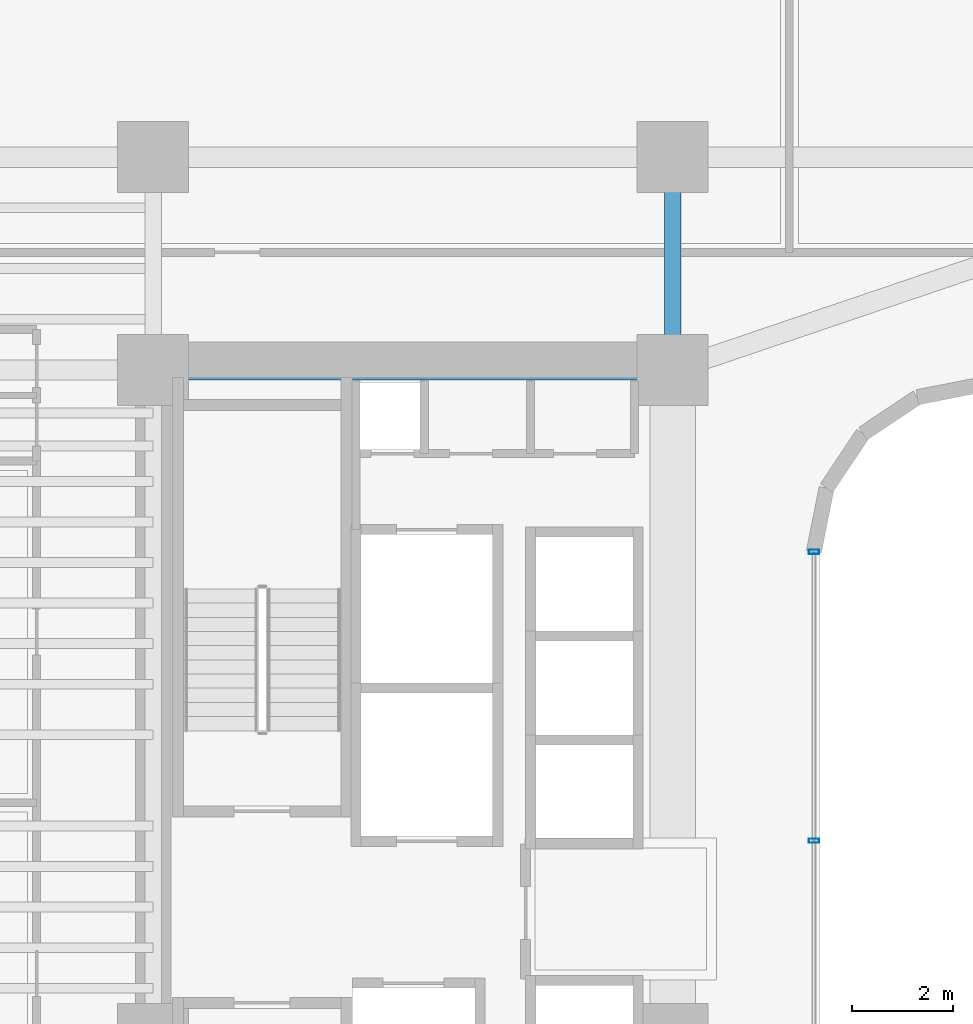
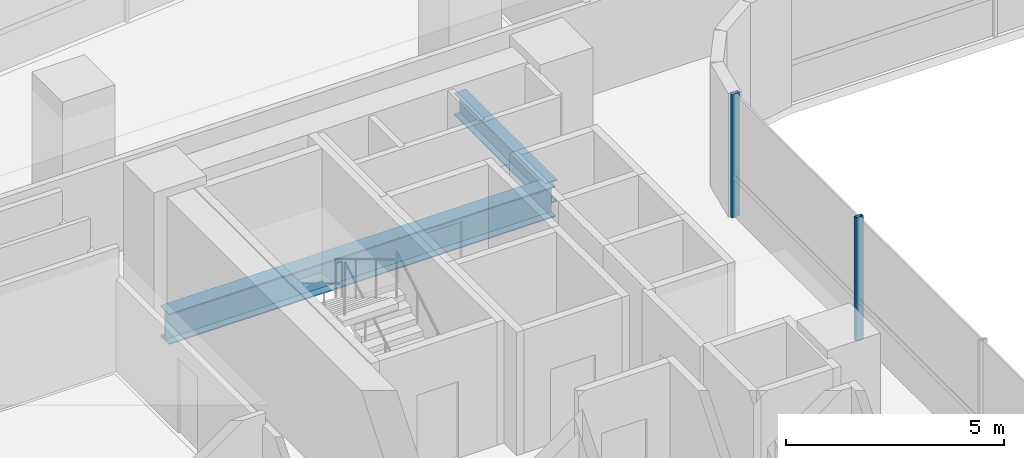
# One storey, part 10 of 39: 2 beams, 2 members, 1 element without a shape of its own.
"""IFC4 building model written with IfcOpenShell, lengths in metres."""

from ifc_helpers import new_model, si_unit, direction, frame, origin, origin_2d, place, context, subcontext, project, spatial, hollow_rectangle, i_section, extrude, source, transform, mapped, material, material_profile, profile_set, type_object, element, aggregate, save


model = new_model("IFC4")

# Units and contexts
model_context = context("Model", 3, precision=1e-05, world=origin(), true_north=direction((0.0, 1.0)))
body_context = subcontext(model_context, "Body", "Model", "MODEL_VIEW")
ifc_project = project(units=[si_unit("LENGTHUNIT", "METRE"), si_unit("AREAUNIT", "SQUARE_METRE"), si_unit("VOLUMEUNIT", "CUBIC_METRE"), si_unit("PLANEANGLEUNIT", "RADIAN"), si_unit("MASSUNIT", "GRAM", prefix="KILO")], contexts=[model_context])

# Site, building, storey
site_placement = place(None, origin())
site = spatial("IfcSite", under=ifc_project, at=site_placement, CompositionType="ELEMENT")
building_placement = place(site_placement, origin())
building = spatial("IfcBuilding", under=site, at=building_placement, Name="Valdorenza Pilgrim Sanctuary Tower", CompositionType="ELEMENT")
storey_placement = place(building_placement, frame((0.0, 0.0, 70.39990234375)))
storey = spatial("IfcBuildingStorey", under=building, at=storey_placement, Name="L17", CompositionType="ELEMENT", Elevation=70.39990234375)

# Beams
ifc_material_1 = material(Name="Steel ASTM A992 Grade 50", Category="steel")
ifc_material_profile_1 = material_profile(ifc_material_1, i_section(OverallWidth=0.323974609375, OverallDepth=0.611083984375, WebThickness=0.0126953125, FlangeThickness=0.01904296875, at=origin_2d()), Name="W24X104")
ifc_profile_set_1 = profile_set([ifc_material_profile_1], Name="Steel ASTM A992 Grade 50")
beam_type_1 = type_object("IfcBeamType", Name="STR-BM-GRD-W24B", PredefinedType="BEAM", material=ifc_profile_set_1)
shared_shape_1 = source(origin(), body_context, "Body", "SweptSolid", [
    extrude(i_section(OverallWidth=0.323974609375, OverallDepth=0.611083984375, WebThickness=0.0126953125, FlangeThickness=0.01904296875, at=origin_2d()), origin(), (0.0, 0.0, 1.0), 4.199951171875),
])
beam_1_placement = place(storey_placement, frame((-12.39990234375, 10.60009765625, -0.54541015625), z_axis=(0.0, 1.0, 0.0), x_axis=(-1.0, 0.0, 0.0)))
element("IfcBeam", 1, at=beam_1_placement, inside=storey, type_object=beam_type_1, Name="L17 Core Tie Girder CA-E-N1N2", PredefinedType="BEAM", context=body_context, shape_type="MappedRepresentation", body=[
    mapped(shared_shape_1, transform((0.0, 0.0, 0.0), x_axis=(1.0, 0.0, 0.0), y_axis=(0.0, 1.0, 0.0), z_axis=(0.0, 0.0, 1.0), scale=1.0)),
])
ifc_material_profile_2 = material_profile(ifc_material_1, i_section(OverallWidth=0.39990234375, OverallDepth=0.862060546875, WebThickness=0.019775390625, FlangeThickness=0.032470703125, at=origin_2d()), Name="W33X221")
ifc_profile_set_2 = profile_set([ifc_material_profile_2], Name="Steel ASTM A992 Grade 50")
beam_type_2 = type_object("IfcBeamType", Name="STR-BM-GRD-W33", PredefinedType="BEAM", material=ifc_profile_set_2)
shared_shape_2 = source(origin(), body_context, "Body", "SweptSolid", [
    extrude(i_section(OverallWidth=0.39990234375, OverallDepth=0.862060546875, WebThickness=0.019775390625, FlangeThickness=0.032470703125, at=origin_2d()), origin(), (0.0, 0.0, 1.0), 10.25),
])
beam_2_placement = place(storey_placement, frame((-22.64990234375, 10.60009765625, -0.6708984375), z_axis=(1.0, 0.0, 0.0), x_axis=(0.0, 1.0, 0.0)))
element("IfcBeam", 2, at=beam_2_placement, inside=storey, type_object=beam_type_2, Name="L17 Floor Girder CA-XC-N1", PredefinedType="BEAM", context=body_context, shape_type="MappedRepresentation", body=[
    mapped(shared_shape_2, transform((0.0, 0.0, 0.0), x_axis=(1.0, 0.0, 0.0), y_axis=(0.0, 1.0, 0.0), z_axis=(0.0, 0.0, 1.0), scale=1.0)),
])

# Curtain wall, members
ifc_material_2 = material(Name="Curtain-wall IGU glazing", Category="glass")
curtain_wall_type = type_object("IfcCurtainWallType", Name="CW-SYS-02", PredefinedType="NOTDEFINED", material=ifc_material_2)
curtain_wall_placement = place(storey_placement, origin())
curtain_wall = element("IfcCurtainWall", 3, at=curtain_wall_placement, inside=storey, type_object=curtain_wall_type, Name="L17 Curtain Wall CW-L17-1-41", PredefinedType="NOTDEFINED")
ifc_material_3 = material(Name="Anodised aluminium AW-6060", Category="aluminium")
ifc_material_profile_3 = material_profile(ifc_material_3, hollow_rectangle(XDim=0.0849609375, YDim=0.199951171875, WallThickness=0.0048828125, at=origin_2d()), Name="ALU-M 200x85x5")
ifc_profile_set_3 = profile_set([ifc_material_profile_3], Name="Anodised aluminium AW-6060")
member_type = type_object("IfcMemberType", Name="CW-MUL-02", PredefinedType="MULLION", material=ifc_profile_set_3)
shared_shape_3 = source(origin(), body_context, "Body", "SweptSolid", [
    extrude(hollow_rectangle(XDim=0.0849609375, YDim=0.199951171875, WallThickness=0.0048828125, at=origin_2d()), origin(), (0.0, 0.0, 1.0), 3.460205078125),
])
member_1_placement = place(storey_placement, frame((-9.610107421875, 7.0107421875, 0.0), z_axis=(0.0, 0.0, 1.0), x_axis=(0.0, -1.0, 0.0)))
member_1 = element("IfcMember", 4, at=member_1_placement, type_object=member_type, Name="CW-L17-1-41 Mullion 1", PredefinedType="MULLION", context=body_context, shape_type="MappedRepresentation", body=[
    mapped(shared_shape_3, transform((0.0, 0.0, 0.0), x_axis=(1.0, 0.0, 0.0), y_axis=(0.0, 1.0, 0.0), z_axis=(0.0, 0.0, 1.0), scale=1.0)),
])
member_2_placement = place(storey_placement, frame((-9.610107421875, 1.310791015625, 0.0), z_axis=(0.0, 0.0, 1.0), x_axis=(0.0, -1.0, 0.0)))
member_2 = element("IfcMember", 5, at=member_2_placement, type_object=member_type, Name="CW-L17-1-41 Mullion 2", PredefinedType="MULLION", context=body_context, shape_type="MappedRepresentation", body=[
    mapped(shared_shape_3, transform((0.0, 0.0, 0.0), x_axis=(1.0, 0.0, 0.0), y_axis=(0.0, 1.0, 0.0), z_axis=(0.0, 0.0, 1.0), scale=1.0)),
])
aggregate(curtain_wall, [member_1, member_2])

save(model, "model.ifc")
